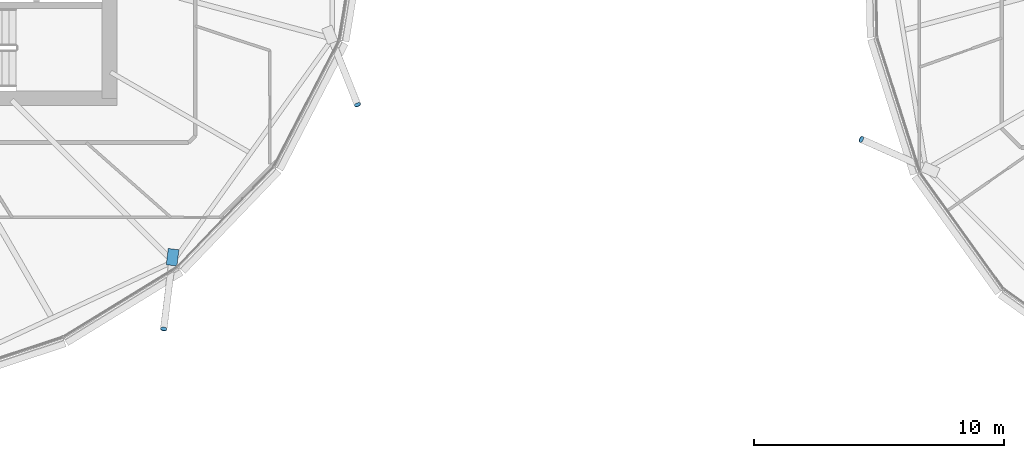
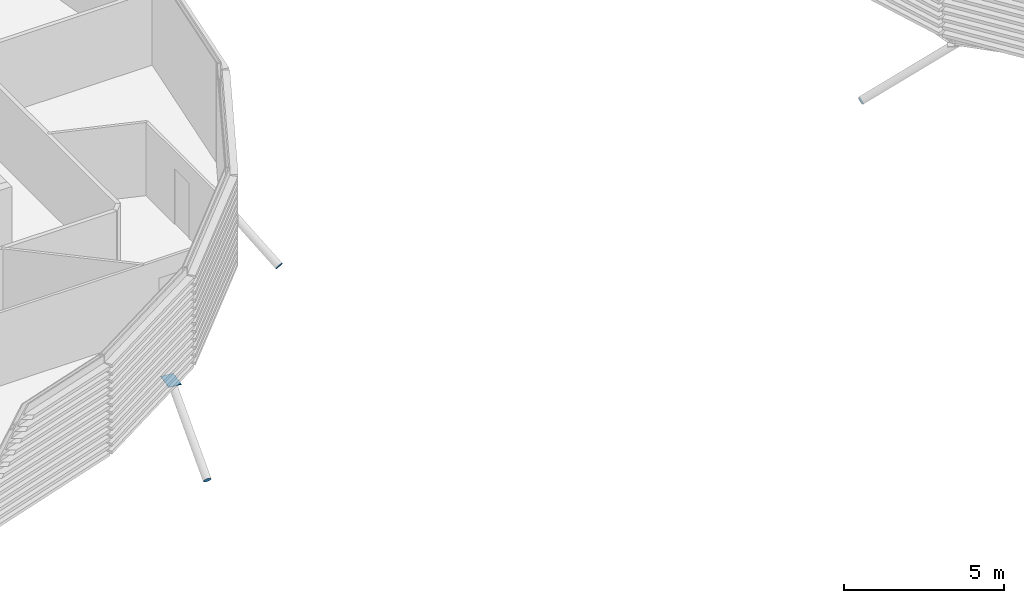
# One storey, part 26 of 37: 4 discrete accessories.
"""IFC4 building model written with IfcOpenShell, lengths in metres."""

from ifc_helpers import new_model, si_unit, direction, frame, origin, origin_2d, place, context, subcontext, project, spatial, polyline, rectangle, circle, outline, extrude, material, material_profile, profile_set, type_object, element, save


model = new_model("IFC4")

# Units and contexts
model_context = context("Model", 3, precision=1e-05, world=origin(), true_north=direction((0.0, 1.0)))
body_context = subcontext(model_context, "Body", "Model", "MODEL_VIEW")
ifc_project = project(units=[si_unit("LENGTHUNIT", "METRE"), si_unit("AREAUNIT", "SQUARE_METRE"), si_unit("VOLUMEUNIT", "CUBIC_METRE"), si_unit("PLANEANGLEUNIT", "RADIAN"), si_unit("MASSUNIT", "GRAM", prefix="KILO")], contexts=[model_context])

# Site, building, storey
site_placement = place(None, origin())
site = spatial("IfcSite", under=ifc_project, at=site_placement, CompositionType="ELEMENT")
building_placement = place(site_placement, origin())
building = spatial("IfcBuilding", under=site, at=building_placement, Name="Rimbun Link Towers", CompositionType="ELEMENT")
storey_placement = place(building_placement, frame((0.0, 0.0, 177.89990234375)))
storey = spatial("IfcBuildingStorey", under=building, at=storey_placement, Name="L43", CompositionType="ELEMENT", Elevation=177.89990234375)

# Discrete accessories
ifc_material_1 = material(Name="Steel S355J2H", Category="steel")
ifc_material_profile_1 = material_profile(ifc_material_1, circle(Radius=0.1240234375, at=origin_2d()), Name="PL D248")
ifc_profile_set_1 = profile_set([ifc_material_profile_1], Name="Steel S355J2H")
discrete_accessory_type_1 = type_object("IfcDiscreteAccessoryType", Name="Link foot sealing plate D248X20", PredefinedType="BRACKET", material=ifc_profile_set_1)
for number, where, z_axis, x_axis, name in (
    (1, (-17.574462890625, -17.240234375, -2.60986328125), (-0.109707161199, -0.828898551284, -0.548535805997), (0.99135476599, -0.131208719028, 0.0), "Link foot sealing plate T1 L43 21"),
    (2, (-9.806884765625, -8.253662109375, -2.6201171875), (0.304380509908, -0.779214105364, -0.547884917834), (0.93145734948, 0.36385052714, 0.0), "Link foot sealing plate T1 L43 23"),
    (3, (10.389404296875, -9.6494140625, -2.55078125), (-0.768349819928, 0.329292779969, -0.548821299948), (-0.393919298579, -0.919145030018, 0.0), "Link foot sealing plate T2 L43 11"),
):
    element("IfcDiscreteAccessory", number, at=place(storey_placement, frame(where, z_axis=z_axis, x_axis=x_axis)), inside=storey, type_object=discrete_accessory_type_1, Name=name, PredefinedType="BRACKET", context=body_context, shape_type="SweptSolid", body=[
        extrude(circle(Radius=0.1240234375, at=origin_2d()), origin(), (0.0, 0.0, 1.0), 0.02001953125),
    ])
ifc_material_2 = material(Name="Steel S355J2H", Category="steel")
ifc_material_profile_2 = material_profile(ifc_material_2, rectangle(XDim=0.43310546875, YDim=0.43310546875, at=origin_2d()), Name="PL 433x433")
ifc_profile_set_2 = profile_set([ifc_material_profile_2], Name="Steel S355J2H")
discrete_accessory_type_2 = type_object("IfcDiscreteAccessoryType", Name="Link head end plate 433X20", PredefinedType="BRACKET", material=ifc_profile_set_2)
discrete_accessory_placement = place(storey_placement, frame((0.0, 0.0, -0.702880859375)))
element("IfcDiscreteAccessory", 4, at=discrete_accessory_placement, inside=storey, type_object=discrete_accessory_type_2, Name="Link head end plate T1 L43 21", PredefinedType="BRACKET", context=body_context, shape_type="SweptSolid", body=[
    extrude(outline(polyline([(-17.392578125, -14.02099609375), (-17.473388671875, -14.67138671875), (-17.043701171875, -14.724853515625), (-16.962890625, -14.07421875), (-17.392578125, -14.02099609375)])), origin(), (0.0, 0.0, 1.0), 0.019775390625),
])

save(model, "model.ifc")
